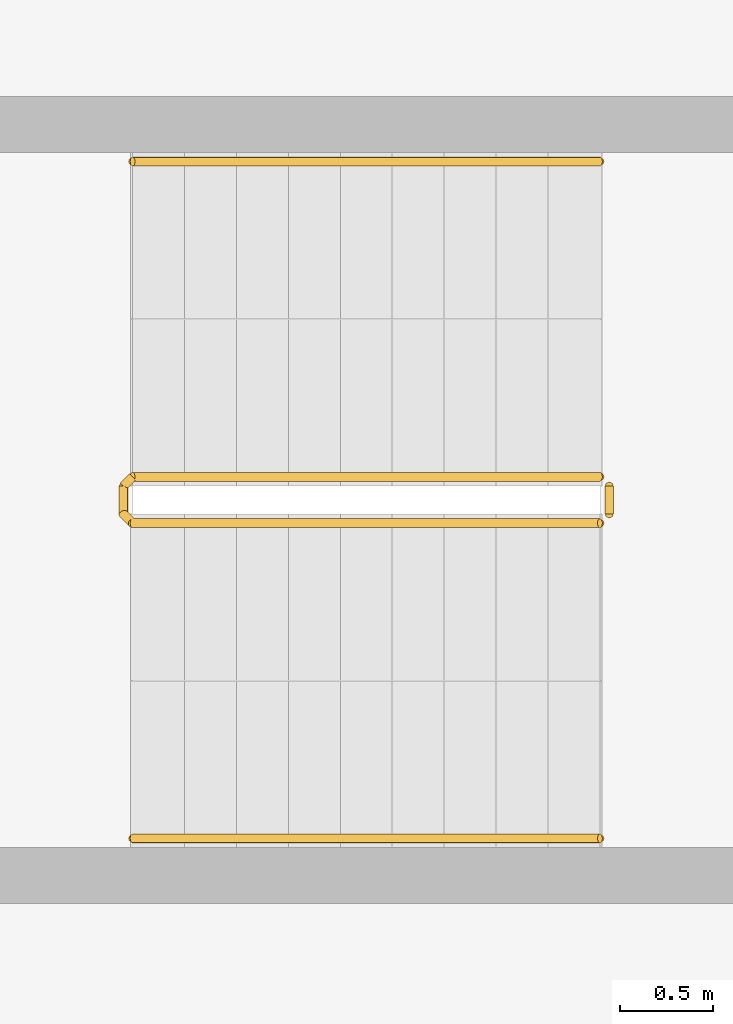
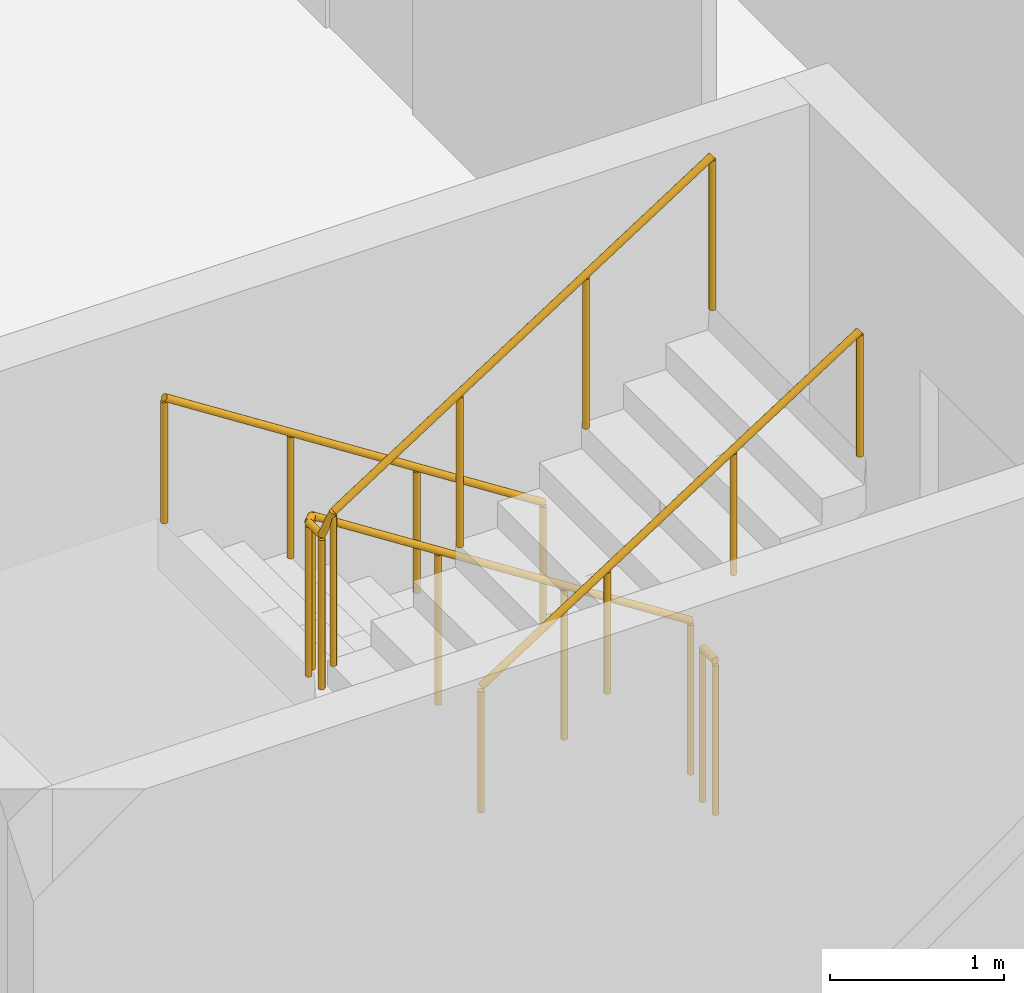
# One storey, part 25 of 28: 4 railings.
"""IFC4 building model written with IfcOpenShell, lengths in metres."""

from ifc_helpers import new_model, si_unit, direction, frame, origin, origin_2d, place, context, subcontext, project, spatial, circle, extrude, material, type_object, element, save


model = new_model("IFC4")

# Units and contexts
model_context = context("Model", 3, precision=1e-05, world=origin(), true_north=direction((0.0, 1.0)))
body_context = subcontext(model_context, "Body", "Model", "MODEL_VIEW")
ifc_project = project(units=[si_unit("LENGTHUNIT", "METRE"), si_unit("AREAUNIT", "SQUARE_METRE"), si_unit("VOLUMEUNIT", "CUBIC_METRE"), si_unit("PLANEANGLEUNIT", "RADIAN"), si_unit("MASSUNIT", "GRAM", prefix="KILO")], contexts=[model_context])

# Site, building, storey
site_placement = place(None, origin())
site = spatial("IfcSite", under=ifc_project, at=site_placement, CompositionType="ELEMENT")
building_placement = place(site_placement, origin())
building = spatial("IfcBuilding", under=site, at=building_placement, Name="Wharfspan Tower", CompositionType="ELEMENT")
storey_placement = place(building_placement, frame((0.0, 0.0, 132.699951)))
storey = spatial("IfcBuildingStorey", under=building, at=storey_placement, Name="L31", CompositionType="ELEMENT", Elevation=132.699951)

# Railings
ifc_material = material(Name="Steel S355J2", Category="steel")
railing_type_1 = type_object("IfcRailingType", Name="Stair guard 1100", PredefinedType="GUARDRAIL", material=ifc_material)
railing_1_placement = place(storey_placement, frame((13.899902, 22.824951, 0.179932)))
element("IfcRailing", 1, at=railing_1_placement, inside=storey, type_object=railing_type_1, Name="L31 ST3 stair guard 1", PredefinedType="GUARDRAIL", context=body_context, shape_type="SweptSolid", body=[
    extrude(circle(Radius=0.023926, at=origin_2d()), frame((0.0, 0.0, 1.076172), z_axis=(-0.841163, 0.0, 0.540782), x_axis=(0.0, -1.0, 0.0)), (0.0, 0.0, 1.0), 2.99585),
    extrude(circle(Radius=0.023926, at=origin_2d()), frame((-2.52002, 0.0, 2.696289), z_axis=(-0.705376, -0.708834, 0.0), x_axis=(0.708834, -0.705376, 0.0)), (0.0, 0.0, 1.0), 0.070557),
    extrude(circle(Radius=0.023926, at=origin_2d()), frame((-2.569824, -0.050049, 2.696289), z_axis=(0.0, -1.0, 0.0), x_axis=(1.0, 0.0, 0.0)), (0.0, 0.0, 1.0), 0.149902),
    extrude(circle(Radius=0.023926, at=origin_2d()), frame((-2.569824, -0.199951, 2.696289), z_axis=(0.257669, -0.258932, 0.930892), x_axis=(0.708833, 0.705372, -1e-06)), (0.0, 0.0, 1.0), 0.193359),
    extrude(circle(Radius=0.023926, at=origin_2d()), frame((-2.52002, -0.25, 2.875977), z_axis=(0.841163, 0.0, 0.540782), x_axis=(0.0, 1.0, 0.0)), (0.0, 0.0, 1.0), 2.99585),
    extrude(circle(Radius=0.020996, at=origin_2d()), origin(), (0.0, 0.0, 1.0), 1.052002),
    extrude(circle(Radius=0.020996, at=origin_2d()), frame((-0.840088, 0.0, 0.540039)), (0.0, 0.0, 1.0), 1.052002),
    extrude(circle(Radius=0.020996, at=origin_2d()), frame((-1.679932, 0.0, 1.080078)), (0.0, 0.0, 1.0), 1.052002),
    extrude(circle(Radius=0.020996, at=origin_2d()), frame((-2.52002, 0.0, 1.620117)), (0.0, 0.0, 1.0), 1.052002),
    extrude(circle(Radius=0.020996, at=origin_2d()), frame((-2.569824, -0.050049, 1.620117)), (0.0, 0.0, 1.0), 1.052002),
    extrude(circle(Radius=0.020996, at=origin_2d()), frame((-2.569824, -0.199951, 1.620117)), (0.0, 0.0, 1.0), 1.052002),
    extrude(circle(Radius=0.020996, at=origin_2d()), frame((-2.52002, -0.25, 1.800049)), (0.0, 0.0, 1.0), 1.052002),
    extrude(circle(Radius=0.020996, at=origin_2d()), frame((-1.679932, -0.25, 2.340088)), (0.0, 0.0, 1.0), 1.052002),
    extrude(circle(Radius=0.020996, at=origin_2d()), frame((-0.840088, -0.25, 2.880127)), (0.0, 0.0, 1.0), 1.052002),
    extrude(circle(Radius=0.020996, at=origin_2d()), frame((0.0, -0.25, 3.420166)), (0.0, 0.0, 1.0), 1.052002),
])
railing_2_placement = place(storey_placement, frame((13.949951, 22.774902, 0.0)))
element("IfcRailing", 2, at=railing_2_placement, inside=storey, type_object=railing_type_1, Name="L31 ST3 stair guard 2", PredefinedType="GUARDRAIL", context=body_context, shape_type="SweptSolid", body=[
    extrude(circle(Radius=0.023926, at=origin_2d()), frame((0.0, 0.0, 1.076172), z_axis=(0.0, -1.0, 0.0), x_axis=(1.0, 0.0, 0.0)), (0.0, 0.0, 1.0), 0.149902),
    extrude(circle(Radius=0.020996, at=origin_2d()), origin(), (0.0, 0.0, 1.0), 1.052002),
    extrude(circle(Radius=0.020996, at=origin_2d()), frame((0.0, -0.149902, 0.0)), (0.0, 0.0, 1.0), 1.052002),
])
railing_type_2 = type_object("IfcRailingType", Name="Stair handrail 900", PredefinedType="HANDRAIL", material=ifc_material)
railing_3_placement = place(storey_placement, frame((13.899902, 24.524902, 0.179932)))
element("IfcRailing", 3, at=railing_3_placement, inside=storey, type_object=railing_type_2, Name="L31 ST3 stair handrail 1", PredefinedType="HANDRAIL", context=body_context, shape_type="SweptSolid", body=[
    extrude(circle(Radius=0.023926, at=origin_2d()), frame((0.0, 0.0, 0.875977), z_axis=(-0.841163, 0.0, 0.540782), x_axis=(0.0, -1.0, 0.0)), (0.0, 0.0, 1.0), 2.99585),
    extrude(circle(Radius=0.020996, at=origin_2d()), origin(), (0.0, 0.0, 1.0), 0.851807),
    extrude(circle(Radius=0.020996, at=origin_2d()), frame((-0.840088, 0.0, 0.540039)), (0.0, 0.0, 1.0), 0.851807),
    extrude(circle(Radius=0.020996, at=origin_2d()), frame((-1.679932, 0.0, 1.080078)), (0.0, 0.0, 1.0), 0.851807),
    extrude(circle(Radius=0.020996, at=origin_2d()), frame((-2.52002, 0.0, 1.620117)), (0.0, 0.0, 1.0), 0.851807),
])
railing_4_placement = place(storey_placement, frame((11.379883, 20.875, 1.97998)))
element("IfcRailing", 4, at=railing_4_placement, inside=storey, type_object=railing_type_2, Name="L31 ST3 stair handrail 2", PredefinedType="HANDRAIL", context=body_context, shape_type="SweptSolid", body=[
    extrude(circle(Radius=0.023926, at=origin_2d()), frame((0.0, 0.0, 0.875977), z_axis=(0.841163, 0.0, 0.540782), x_axis=(0.0, 1.0, 0.0)), (0.0, 0.0, 1.0), 2.99585),
    extrude(circle(Radius=0.020996, at=origin_2d()), origin(), (0.0, 0.0, 1.0), 0.851807),
    extrude(circle(Radius=0.020996, at=origin_2d()), frame((0.840088, 0.0, 0.540039)), (0.0, 0.0, 1.0), 0.851807),
    extrude(circle(Radius=0.020996, at=origin_2d()), frame((1.679932, 0.0, 1.080078)), (0.0, 0.0, 1.0), 0.851807),
    extrude(circle(Radius=0.020996, at=origin_2d()), frame((2.52002, 0.0, 1.620117)), (0.0, 0.0, 1.0), 0.851807),
])

save(model, "model.ifc")
